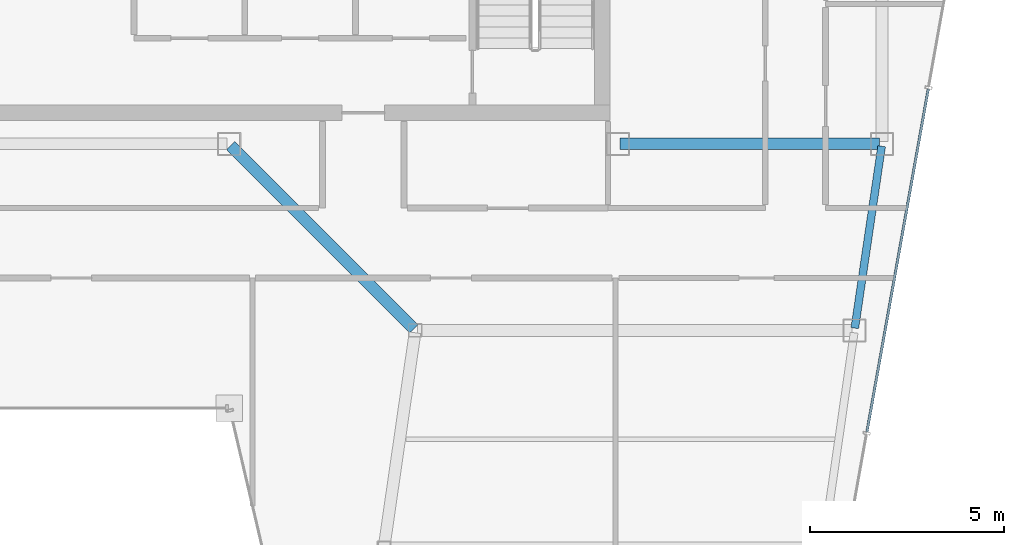
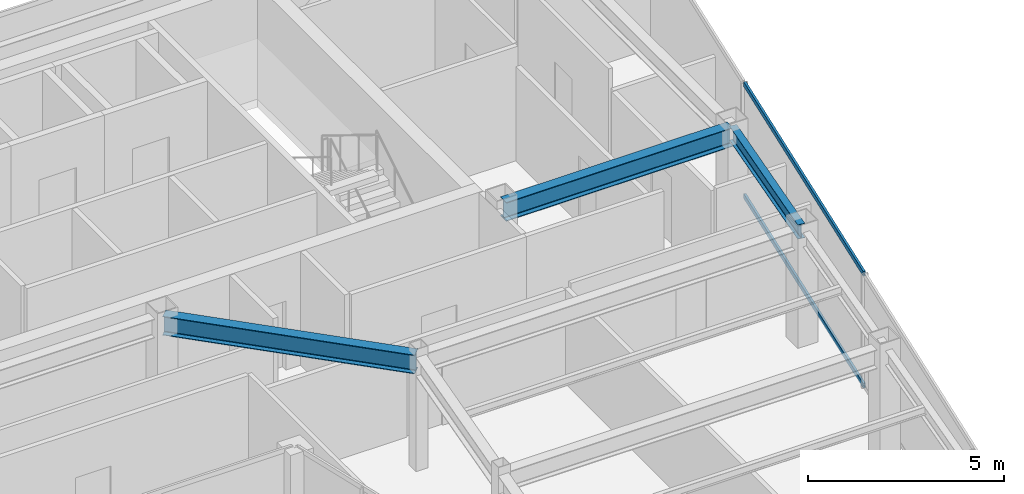
# One storey, part 18 of 32: 3 beams, 2 members, 1 element without a shape of its own.
"""IFC4 building model written with IfcOpenShell, lengths in metres."""

from ifc_helpers import new_model, si_unit, direction, frame, origin, origin_2d, place, context, subcontext, project, spatial, hollow_rectangle, i_section, extrude, material, material_profile, profile_set, type_object, element, aggregate, save


model = new_model("IFC4")

# Units and contexts
model_context = context("Model", 3, precision=1e-05, world=origin(), true_north=direction((0.0, 1.0)))
body_context = subcontext(model_context, "Body", "Model", "MODEL_VIEW")
ifc_project = project(units=[si_unit("LENGTHUNIT", "METRE"), si_unit("AREAUNIT", "SQUARE_METRE"), si_unit("VOLUMEUNIT", "CUBIC_METRE"), si_unit("PLANEANGLEUNIT", "RADIAN"), si_unit("MASSUNIT", "GRAM", prefix="KILO")], contexts=[model_context])

# Site, building, storey
site_placement = place(None, origin())
site = spatial("IfcSite", under=ifc_project, at=site_placement, CompositionType="ELEMENT")
building_placement = place(site_placement, origin())
building = spatial("IfcBuilding", under=site, at=building_placement, Name="Saevonmaru Cultural Tower", CompositionType="ELEMENT")
storey_placement = place(building_placement, frame((0.0, 0.0, 268.60009765625)))
storey = spatial("IfcBuildingStorey", under=building, at=storey_placement, Name="L63", CompositionType="ELEMENT", Elevation=268.60009765625)

# Beams
ifc_material_1 = material(Name="Steel SM355", Category="steel")
ifc_material_profile_1 = material_profile(ifc_material_1, i_section(OverallWidth=0.300048828125, OverallDepth=0.587890625, WebThickness=0.011962890625, FlangeThickness=0.02001953125, FilletRadius=0.02392578125, at=origin_2d()), Name="H-588x300x12x20")
ifc_profile_set_1 = profile_set([ifc_material_profile_1], Name="Steel SM355")
beam_type_1 = type_object("IfcBeamType", Name="BM-G-H588", PredefinedType="BEAM", material=ifc_profile_set_1)
beam_1_placement = place(storey_placement, frame((46.4599609375, 42.39990234375, 3.255859375), z_axis=(1.0, 0.0, 0.0), x_axis=(0.0, 1.0, 0.0)))
element("IfcBeam", 1, at=beam_1_placement, inside=storey, type_object=beam_type_1, Name="L63 Core South Girder 5", PredefinedType="BEAM", context=body_context, shape_type="SweptSolid", body=[
    extrude(i_section(OverallWidth=0.300048828125, OverallDepth=0.587890625, WebThickness=0.011962890625, FlangeThickness=0.02001953125, FilletRadius=0.02392578125, at=origin_2d()), origin(), (0.0, 0.0, 1.0), 6.679931640625),
])
beam_2_placement = place(storey_placement, frame((41.149658203125, 37.642578125, 3.255859375), z_axis=(-0.706538566564, 0.707674539572, 0.0), x_axis=(-0.707674539572, -0.706538566564, 0.0)))
element("IfcBeam", 2, at=beam_2_placement, inside=storey, type_object=beam_type_1, Name="L63 East Atrium Girder 3", PredefinedType="BEAM", context=body_context, shape_type="SweptSolid", body=[
    extrude(i_section(OverallWidth=0.300048828125, OverallDepth=0.587890625, WebThickness=0.011962890625, FlangeThickness=0.02001953125, FilletRadius=0.02392578125, at=origin_2d()), origin(), (0.0, 0.0, 1.0), 6.662353515625),
])
ifc_material_profile_2 = material_profile(ifc_material_1, i_section(OverallWidth=0.199951171875, OverallDepth=0.449951171875, WebThickness=0.009033203125, FlangeThickness=0.013916015625, FilletRadius=0.01806640625, at=origin_2d()), Name="H-450x200x9x14")
ifc_profile_set_2 = profile_set([ifc_material_profile_2], Name="Steel SM355")
beam_type_2 = type_object("IfcBeamType", Name="BM-SP-H450", PredefinedType="SPANDREL", material=ifc_profile_set_2)
beam_3_placement = place(storey_placement, frame((52.500732421875, 37.659423828125, 3.324951171875), z_axis=(0.145912860028, 0.989297446312, 0.0), x_axis=(-0.989297446312, 0.145912860028, 0.0)))
element("IfcBeam", 3, at=beam_3_placement, inside=storey, type_object=beam_type_2, Name="L63 East Splayed Spandrel 3", PredefinedType="SPANDREL", context=body_context, shape_type="SweptSolid", body=[
    extrude(i_section(OverallWidth=0.199951171875, OverallDepth=0.449951171875, WebThickness=0.009033203125, FlangeThickness=0.013916015625, FilletRadius=0.01806640625, at=origin_2d()), origin(), (0.0, 0.0, 1.0), 4.731689453125),
])

# Curtain wall, members
ifc_material_2 = material(Name="Satin Bronze Anodised Aluminium", Category="aluminium")
curtain_wall_type = type_object("IfcCurtainWallType", Name="CW-TYP-B", PredefinedType="NOTDEFINED", material=ifc_material_2)
curtain_wall_placement = place(storey_placement, origin())
curtain_wall = element("IfcCurtainWall", 4, at=curtain_wall_placement, inside=storey, type_object=curtain_wall_type, Name="L63 Unitised Curtain Wall E8", PredefinedType="NOTDEFINED")
ifc_material_profile_3 = material_profile(ifc_material_2, hollow_rectangle(XDim=0.06494140625, YDim=0.14990234375, WallThickness=0.00390625, at=origin_2d()), Name="ALU-TRAN-150x65x4")
ifc_profile_set_3 = profile_set([ifc_material_profile_3], Name="Satin Bronze Anodised Aluminium")
member_type = type_object("IfcMemberType", Name="TR-CW-150x65", PredefinedType="USERDEFINED", material=ifc_profile_set_3)
member_1_placement = place(storey_placement, frame((52.812255859375, 34.985107421875, 0.032470703125), z_axis=(0.176123157264, 0.984368139202, 0.0), x_axis=(-0.984368139202, 0.176123157264, 0.0)))
member_1 = element("IfcMember", 5, at=member_1_placement, type_object=member_type, Name="CW-TW-L63-E8 transom 2.1", ObjectType="TRANSOM", PredefinedType="USERDEFINED", context=body_context, shape_type="SweptSolid", body=[
    extrude(hollow_rectangle(XDim=0.06494140625, YDim=0.14990234375, WallThickness=0.00390625, at=origin_2d()), origin(), (0.0, 0.0, 1.0), 8.969970703125),
])
member_2_placement = place(storey_placement, frame((52.812255859375, 34.985107421875, 3.517333984375), z_axis=(0.176123157264, 0.984368139202, 0.0), x_axis=(-0.984368139202, 0.176123157264, 0.0)))
member_2 = element("IfcMember", 6, at=member_2_placement, type_object=member_type, Name="CW-TW-L63-E8 transom 2.2", ObjectType="TRANSOM", PredefinedType="USERDEFINED", context=body_context, shape_type="SweptSolid", body=[
    extrude(hollow_rectangle(XDim=0.06494140625, YDim=0.14990234375, WallThickness=0.00390625, at=origin_2d()), origin(), (0.0, 0.0, 1.0), 8.969970703125),
])
aggregate(curtain_wall, [member_1, member_2])

save(model, "model.ifc")
